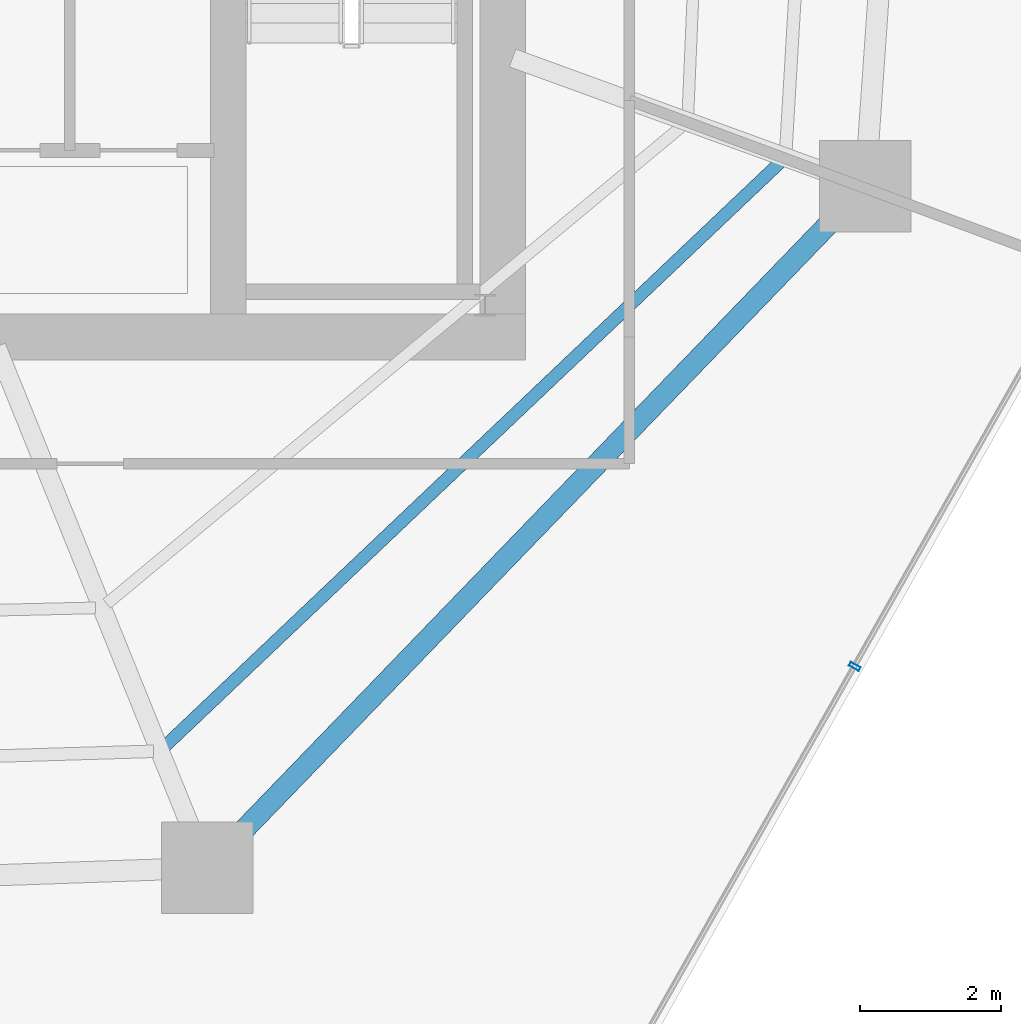
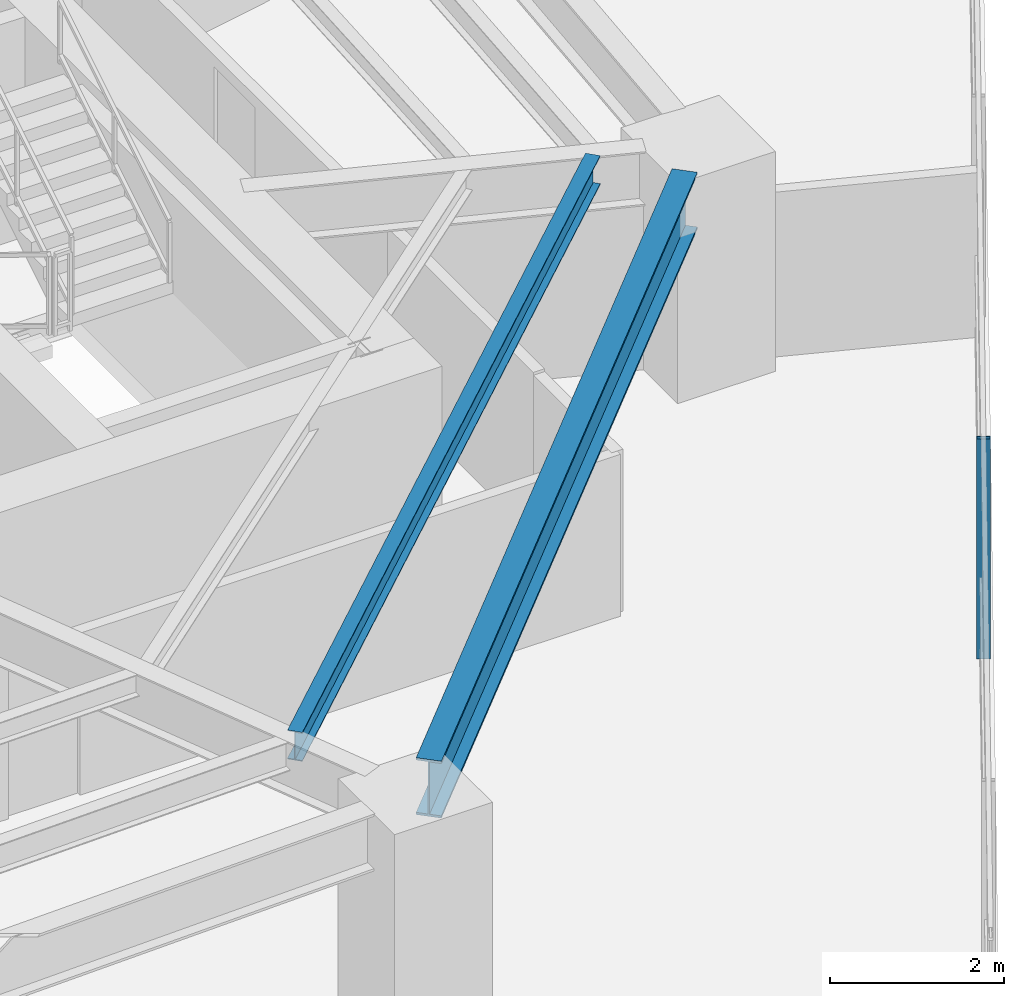
# One storey, part 12 of 31: 2 beams, 1 member, 1 element without a shape of its own.
"""IFC4 building model written with IfcOpenShell, lengths in metres."""

from ifc_helpers import new_model, si_unit, direction, frame, origin, origin_2d, place, context, subcontext, project, spatial, hollow_rectangle, i_section, extrude, material, layer, layer_set, material_profile, profile_set, type_object, element, aggregate, save


model = new_model("IFC4")

# Units and contexts
model_context = context("Model", 3, precision=1e-05, world=origin(), true_north=direction((0.0, 1.0)))
body_context = subcontext(model_context, "Body", "Model", "MODEL_VIEW")
ifc_project = project(units=[si_unit("LENGTHUNIT", "METRE"), si_unit("AREAUNIT", "SQUARE_METRE"), si_unit("VOLUMEUNIT", "CUBIC_METRE"), si_unit("PLANEANGLEUNIT", "RADIAN"), si_unit("MASSUNIT", "GRAM", prefix="KILO")], contexts=[model_context])

# Site, building, storey
site_placement = place(None, origin())
site = spatial("IfcSite", under=ifc_project, at=site_placement, CompositionType="ELEMENT")
building_placement = place(site_placement, origin())
building = spatial("IfcBuilding", under=site, at=building_placement, Name="Qarnah Convention Tower", CompositionType="ELEMENT")
storey_placement = place(building_placement, frame((0.0, 0.0, 68.39990234375)))
storey = spatial("IfcBuildingStorey", under=building, at=storey_placement, Name="L17", CompositionType="ELEMENT", Elevation=68.39990234375)

# Beams
ifc_material_1 = material(Name="Structural steel S355JR", Category="steel")
ifc_material_profile_1 = material_profile(ifc_material_1, i_section(OverallWidth=0.177978515625, OverallDepth=0.407958984375, WebThickness=0.008056640625, FlangeThickness=0.012939453125, at=origin_2d()), Name="W410X60")
ifc_profile_set_1 = profile_set([ifc_material_profile_1], Name="Structural steel S355JR")
beam_type_1 = type_object("IfcBeamType", Name="BM-JST-W410", PredefinedType="JOIST", material=ifc_profile_set_1)
beam_1_placement = place(storey_placement, frame((42.7939453125, 12.777099609375, 2.885986328125), z_axis=(0.725372328133, 0.688356728433, 0.0), x_axis=(-0.688356728433, 0.725372328133, 0.0)))
element("IfcBeam", 1, at=beam_1_placement, inside=storey, type_object=beam_type_1, Name="L17 joist BM-L17-SJST-08", PredefinedType="JOIST", context=body_context, shape_type="SweptSolid", body=[
    extrude(i_section(OverallWidth=0.177978515625, OverallDepth=0.407958984375, WebThickness=0.008056640625, FlangeThickness=0.012939453125, at=origin_2d()), origin(), (0.0, 0.0, 1.0), 12.07666015625),
])
ifc_material_profile_2 = material_profile(ifc_material_1, i_section(OverallWidth=0.300048828125, OverallDepth=0.800048828125, WebThickness=0.01806640625, FlangeThickness=0.032958984375, at=origin_2d()), Name="HEB800")
ifc_profile_set_2 = profile_set([ifc_material_profile_2], Name="Structural steel S355JR")
beam_type_2 = type_object("IfcBeamType", Name="BM-RING-HEB800", PredefinedType="BEAM", material=ifc_profile_set_2)
beam_2_placement = place(storey_placement, frame((43.844970703125, 11.514892578125, 2.690185546875), z_axis=(0.694553028655, 0.719441512832, 0.0), x_axis=(-0.719441512832, 0.694553028655, 0.0)))
element("IfcBeam", 2, at=beam_2_placement, inside=storey, type_object=beam_type_2, Name="L17 beam BM-L17-SPN-08", PredefinedType="BEAM", context=body_context, shape_type="SweptSolid", body=[
    extrude(i_section(OverallWidth=0.300048828125, OverallDepth=0.800048828125, WebThickness=0.01806640625, FlangeThickness=0.032958984375, at=origin_2d()), origin(), (0.0, 0.0, 1.0), 12.183349609375),
])

# Curtain wall, member
ifc_material_2 = material(Name="Tempered Low-E dark glass", Category="glass")
ifc_layer = layer(ifc_material_2, 0.16796875)
ifc_layer_set = layer_set([ifc_layer], Name="Tempered Low-E dark glass")
curtain_wall_type = type_object("IfcCurtainWallType", Name="CWS-01", PredefinedType="NOTDEFINED", material=ifc_layer_set)
curtain_wall_placement = place(storey_placement, origin())
curtain_wall = element("IfcCurtainWall", 3, at=curtain_wall_placement, inside=storey, type_object=curtain_wall_type, Name="L17 unitised curtain wall CW-L17-F1", PredefinedType="NOTDEFINED")
ifc_material_3 = material(Name="Black anodised aluminium", Category="aluminium")
ifc_material_profile_3 = material_profile(ifc_material_3, hollow_rectangle(XDim=0.06005859375, YDim=0.159912109375, WallThickness=0.00390625, at=origin_2d()), Name="MUL-60X160")
ifc_profile_set_3 = profile_set([ifc_material_profile_3], Name="Black anodised aluminium")
member_type = type_object("IfcMemberType", Name="MUL-T1", PredefinedType="MULLION", material=ifc_profile_set_3)
member_placement = place(storey_placement, frame((52.603271484375, 13.916748046875, 0.0), z_axis=(0.0, 0.0, 1.0), x_axis=(-0.4927413748, -0.87017580842, 0.0)))
member = element("IfcMember", 4, at=member_placement, type_object=member_type, Name="CW-L17-F1 mullion 4", PredefinedType="MULLION", context=body_context, shape_type="SweptSolid", body=[
    extrude(hollow_rectangle(XDim=0.06005859375, YDim=0.159912109375, WallThickness=0.00390625, at=origin_2d()), origin(), (0.0, 0.0, 1.0), 3.090087890625),
])
aggregate(curtain_wall, [member])

save(model, "model.ifc")
